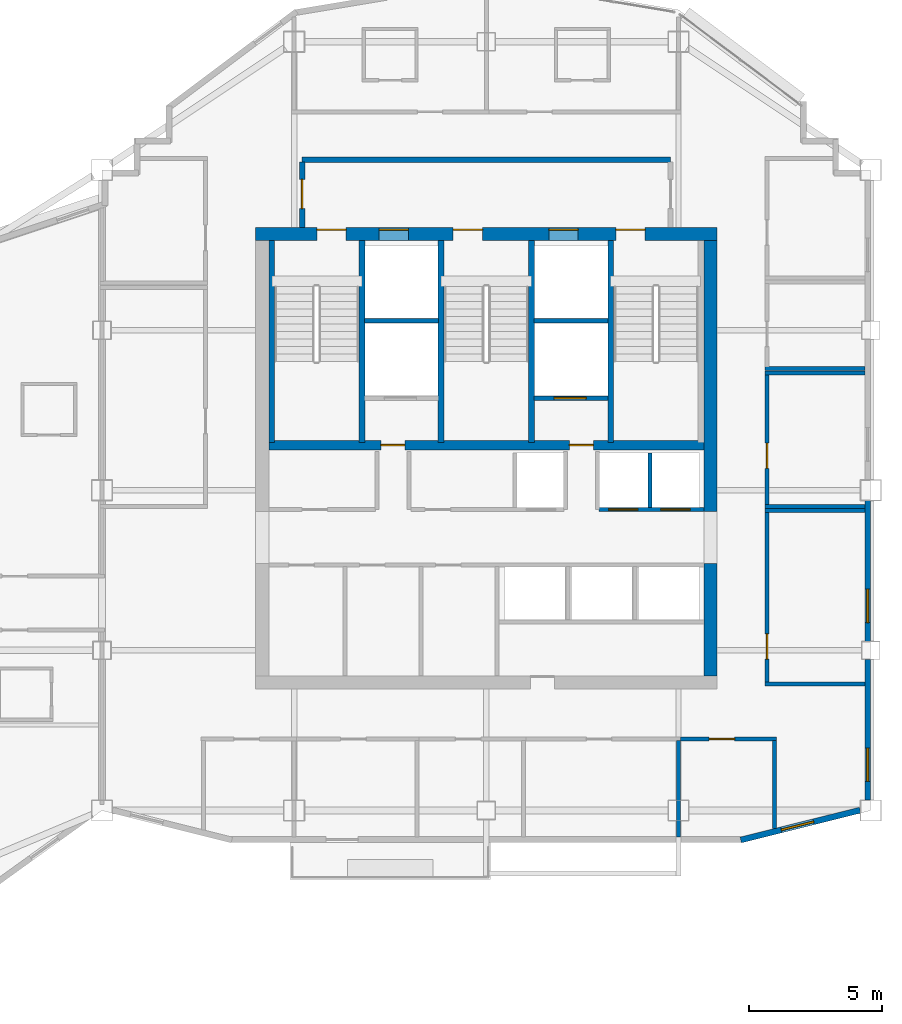
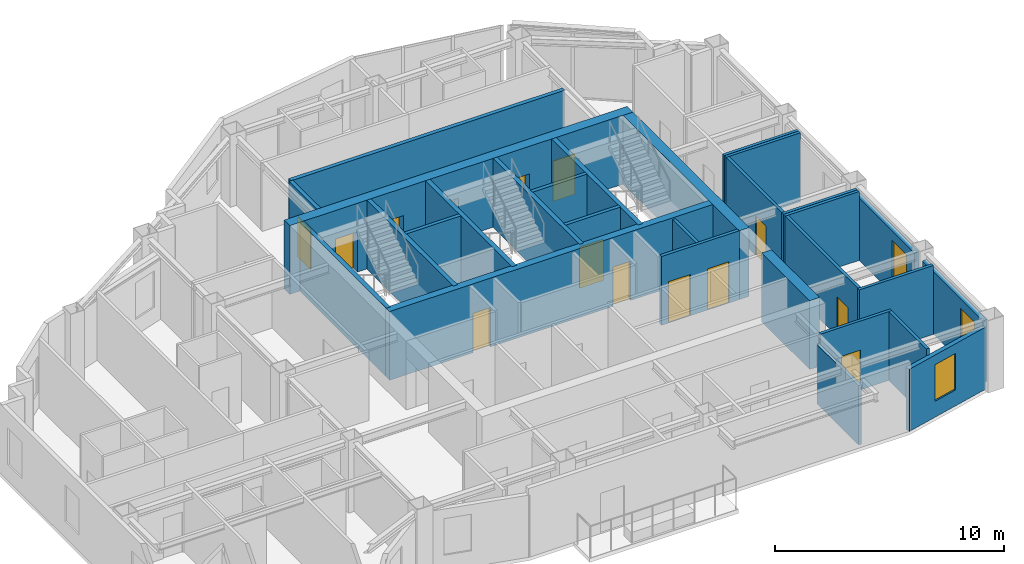
# One storey, part 7 of 11: 29 walls, 14 doors, 3 windows, 17 openings.
"""IFC4 building model written with IfcOpenShell, lengths in metres."""

from ifc_helpers import new_model, si_unit, direction, frame, frame_2d, origin, place, context, subcontext, project, spatial, rectangle, extrude, material, layer, layer_set, type_object, element, fill, save


model = new_model("IFC4")

# Units and contexts
model_context = context("Model", 3, precision=1e-05, world=origin(), true_north=direction((0.0, 1.0)))
body_context = subcontext(model_context, "Body", "Model", "MODEL_VIEW")
ifc_project = project(units=[si_unit("LENGTHUNIT", "METRE"), si_unit("AREAUNIT", "SQUARE_METRE"), si_unit("VOLUMEUNIT", "CUBIC_METRE"), si_unit("PLANEANGLEUNIT", "RADIAN"), si_unit("MASSUNIT", "GRAM", prefix="KILO")], contexts=[model_context])

# Site, building, storey
site_placement = place(None, origin())
site = spatial("IfcSite", under=ifc_project, at=site_placement, CompositionType="ELEMENT")
building_placement = place(site_placement, origin())
building = spatial("IfcBuilding", under=site, at=building_placement, Name="Haolan Belvedere Tower", CompositionType="ELEMENT")
storey_placement = place(building_placement, frame((0.0, 0.0, 254.449951171875)))
storey = spatial("IfcBuildingStorey", under=building, at=storey_placement, Name="L64", CompositionType="ELEMENT", Elevation=254.449951171875)

# Wall, openings, doors
ifc_material_1 = material(Name="Concrete C50/60", Category="concrete")
ifc_layer_1 = layer(ifc_material_1, 0.5, Name="Concrete C50/60")
ifc_layer_set_1 = layer_set([ifc_layer_1], Name="Concrete C50/60")
wall_type_1 = type_object("IfcWallType", Name="WL-CORE-500", PredefinedType="SHEAR", material=ifc_layer_set_1)
wall_1_placement = place(storey_placement, frame((29.75, 43.199951171875, 0.0), z_axis=(0.0, 0.0, 1.0), x_axis=(1.0, 0.0, 0.0)))
wall_1 = element("IfcWall", 1, at=wall_1_placement, inside=storey, type_object=wall_type_1, Name="L64 central core north shear wall", PredefinedType="SHEAR", context=body_context, shape_type="SweptSolid", body=[
    extrude(rectangle(XDim=17.300048828125, YDim=0.5, at=frame_2d((8.64990234375, 0.0))), origin(), (0.0, 0.0, 1.0), 3.670166015625),
])
opening_1_placement = place(wall_1_placement, frame((2.300048828125, 0.0, 0.0)))
opening_1 = element("IfcOpeningElement", 2, at=opening_1_placement, cuts=wall_1, Name="Opening FD-03", PredefinedType="OPENING", context=body_context, shape_type="SweptSolid", body=[
    extrude(rectangle(XDim=1.10009765625, YDim=2.14990234375, at=frame_2d((0.550048828125, 1.074951171875))), frame((0.0, 0.260009765625, 0.0), z_axis=(0.0, -1.0, 0.0), x_axis=(1.0, 0.0, 0.0)), (0.0, 0.0, 1.0), 0.52001953125),
])
opening_2_placement = place(wall_1_placement, frame((7.409912109375, 0.0, 0.0)))
opening_2 = element("IfcOpeningElement", 3, at=opening_2_placement, cuts=wall_1, Name="Opening FD-03", PredefinedType="OPENING", context=body_context, shape_type="SweptSolid", body=[
    extrude(rectangle(XDim=1.10009765625, YDim=2.14990234375, at=frame_2d((0.550048828125, 1.074951171875))), frame((0.0, 0.260009765625, 0.0), z_axis=(0.0, -1.0, 0.0), x_axis=(1.0, 0.0, 0.0)), (0.0, 0.0, 1.0), 0.52001953125),
])
opening_3_placement = place(wall_1_placement, frame((13.5, 0.0, 0.0)))
opening_3 = element("IfcOpeningElement", 4, at=opening_3_placement, cuts=wall_1, Name="Opening FD-03", PredefinedType="OPENING", context=body_context, shape_type="SweptSolid", body=[
    extrude(rectangle(XDim=1.10009765625, YDim=2.14990234375, at=frame_2d((0.550048828125, 1.074951171875))), frame((0.0, 0.260009765625, 0.0), z_axis=(0.0, -1.0, 0.0), x_axis=(1.0, 0.0, 0.0)), (0.0, 0.0, 1.0), 0.52001953125),
])
opening_4_placement = place(wall_1_placement, frame((4.6298828125, 0.0, 0.0)))
opening_4 = element("IfcOpeningElement", 5, at=opening_4_placement, cuts=wall_1, Name="Opening LD-01", PredefinedType="OPENING", context=body_context, shape_type="SweptSolid", body=[
    extrude(rectangle(XDim=1.10009765625, YDim=2.199951171875, at=frame_2d((0.550048828125, 1.10009765625))), frame((0.0, 0.260009765625, 0.0), z_axis=(0.0, -1.0, 0.0), x_axis=(1.0, 0.0, 0.0)), (0.0, 0.0, 1.0), 0.52001953125),
])
opening_5_placement = place(wall_1_placement, frame((10.989990234375, 0.0, 0.0)))
opening_5 = element("IfcOpeningElement", 6, at=opening_5_placement, cuts=wall_1, Name="Opening LD-01", PredefinedType="OPENING", context=body_context, shape_type="SweptSolid", body=[
    extrude(rectangle(XDim=1.10009765625, YDim=2.199951171875, at=frame_2d((0.550048828125, 1.10009765625))), frame((0.0, 0.260009765625, 0.0), z_axis=(0.0, -1.0, 0.0), x_axis=(1.0, 0.0, 0.0)), (0.0, 0.0, 1.0), 0.52001953125),
])
ifc_material_2 = material(Name="Galvanised fire-rated steel", Category="steel")
door_type_1 = type_object("IfcDoorType", Name="DR-FD90-1100", OperationType="NOTDEFINED", PredefinedType="DOOR", material=ifc_material_2)
door_1_placement = place(opening_1_placement, origin())
door_1 = element("IfcDoor", 7, at=door_1_placement, inside=storey, type_object=door_type_1, Name="L64 door CD-L64-ST1", OperationType="SINGLE_SWING_LEFT", OverallHeight=2.14990234375, OverallWidth=1.10009765625, PredefinedType="DOOR", context=body_context, shape_type="SweptSolid", body=[
    extrude(rectangle(XDim=1.10009765625, YDim=2.14990234375, at=frame_2d((0.550048828125, 1.074951171875))), frame((0.0, 0.18505859375, 0.0), z_axis=(0.0, -1.0, 0.0), x_axis=(1.0, 0.0, 0.0)), (0.0, 0.0, 1.0), 0.050048828125),
])
fill(opening_1, door_1)
door_2_placement = place(opening_2_placement, origin())
door_2 = element("IfcDoor", 8, at=door_2_placement, inside=storey, type_object=door_type_1, Name="L64 door CD-L64-ST3", OperationType="SINGLE_SWING_LEFT", OverallHeight=2.14990234375, OverallWidth=1.10009765625, PredefinedType="DOOR", context=body_context, shape_type="SweptSolid", body=[
    extrude(rectangle(XDim=1.10009765625, YDim=2.14990234375, at=frame_2d((0.550048828125, 1.074951171875))), frame((0.0, 0.18505859375, 0.0), z_axis=(0.0, -1.0, 0.0), x_axis=(1.0, 0.0, 0.0)), (0.0, 0.0, 1.0), 0.050048828125),
])
fill(opening_2, door_2)
door_3_placement = place(opening_3_placement, origin())
door_3 = element("IfcDoor", 9, at=door_3_placement, inside=storey, type_object=door_type_1, Name="L64 door CD-L64-ST2", OperationType="SINGLE_SWING_RIGHT", OverallHeight=2.14990234375, OverallWidth=1.10009765625, PredefinedType="DOOR", context=body_context, shape_type="SweptSolid", body=[
    extrude(rectangle(XDim=1.10009765625, YDim=2.14990234375, at=frame_2d((0.550048828125, 1.074951171875))), frame((0.0, 0.18505859375, 0.0), z_axis=(0.0, -1.0, 0.0), x_axis=(1.0, 0.0, 0.0)), (0.0, 0.0, 1.0), 0.050048828125),
])
fill(opening_3, door_3)
ifc_material_3 = material(Name="Brushed champagne stainless steel 316L", Category="steel")
door_type_2 = type_object("IfcDoorType", Name="DR-LIFT-1100", OperationType="SLIDING_TO_LEFT", PredefinedType="DOOR", material=ifc_material_3)
door_4_placement = place(opening_4_placement, origin())
door_4 = element("IfcDoor", 10, at=door_4_placement, inside=storey, type_object=door_type_2, Name="L64 door LD-L64-FF1", OperationType="SLIDING_TO_LEFT", OverallHeight=2.199951171875, OverallWidth=1.10009765625, PredefinedType="DOOR", context=body_context, shape_type="SweptSolid", body=[
    extrude(rectangle(XDim=1.10009765625, YDim=2.199951171875, at=frame_2d((0.550048828125, 1.10009765625))), frame((0.0, 0.18505859375, 0.0), z_axis=(0.0, -1.0, 0.0), x_axis=(1.0, 0.0, 0.0)), (0.0, 0.0, 1.0), 0.050048828125),
])
fill(opening_4, door_4)
door_5_placement = place(opening_5_placement, origin())
door_5 = element("IfcDoor", 11, at=door_5_placement, inside=storey, type_object=door_type_2, Name="L64 door LD-L64-FF2", OperationType="SLIDING_TO_LEFT", OverallHeight=2.199951171875, OverallWidth=1.10009765625, PredefinedType="DOOR", context=body_context, shape_type="SweptSolid", body=[
    extrude(rectangle(XDim=1.10009765625, YDim=2.199951171875, at=frame_2d((0.550048828125, 1.10009765625))), frame((0.0, 0.18505859375, 0.0), z_axis=(0.0, -1.0, 0.0), x_axis=(1.0, 0.0, 0.0)), (0.0, 0.0, 1.0), 0.050048828125),
])
fill(opening_5, door_5)

# Walls
wall_2_placement = place(storey_placement, frame((46.800048828125, 26.64990234375, 0.0), z_axis=(0.0, 0.0, 1.0), x_axis=(0.0, 1.0, 0.0)))
element("IfcWall", 12, at=wall_2_placement, inside=storey, type_object=wall_type_1, Name="L64 central core shear wall ES", PredefinedType="SHEAR", context=body_context, shape_type="SweptSolid", body=[
    extrude(rectangle(XDim=4.2001953125, YDim=0.5, at=frame_2d((2.10009765625, 0.0))), origin(), (0.0, 0.0, 1.0), 3.670166015625),
])
wall_3_placement = place(storey_placement, frame((46.800048828125, 32.800048828125, 0.0), z_axis=(0.0, 0.0, 1.0), x_axis=(0.0, 1.0, 0.0)))
element("IfcWall", 13, at=wall_3_placement, inside=storey, type_object=wall_type_1, Name="L64 central core shear wall EN", PredefinedType="SHEAR", context=body_context, shape_type="SweptSolid", body=[
    extrude(rectangle(XDim=10.14990234375, YDim=0.5, at=frame_2d((5.074951171875, 0.0))), origin(), (0.0, 0.0, 1.0), 3.670166015625),
])

# Wall, opening, window
ifc_material_4 = material(Name="Precast concrete C40/50", Category="concrete")
ifc_layer_2 = layer(ifc_material_4, 0.219970703125, Name="Precast concrete C40/50")
ifc_layer_set_2 = layer_set([ifc_layer_2], Name="Precast concrete C40/50")
wall_type_2 = type_object("IfcWallType", Name="WL-EXT-220", PredefinedType="SOLIDWALL", material=ifc_layer_set_2)
wall_4_placement = place(storey_placement, frame((47.93310546875, 20.49658203125, 0.0), z_axis=(0.0, 0.0, 1.0), x_axis=(0.970133159038, 0.242572986408, 0.0)))
wall_4 = element("IfcWall", 14, at=wall_4_placement, inside=storey, type_object=wall_type_2, Name="L64 pale-metal exterior spandrel wall 2.1", PredefinedType="SOLIDWALL", context=body_context, shape_type="SweptSolid", body=[
    extrude(rectangle(XDim=4.612548828125, YDim=0.219970703125, at=frame_2d((2.30615234375, 0.0))), origin(), (0.0, 0.0, 1.0), 3.31494140625),
])
opening_6_placement = place(wall_4_placement, frame((1.56640625, 0.0, 0.85009765625)))
opening_6 = element("IfcOpeningElement", 15, at=opening_6_placement, cuts=wall_4, Name="Opening W-04", PredefinedType="OPENING", context=body_context, shape_type="SweptSolid", body=[
    extrude(rectangle(XDim=1.25, YDim=1.949951171875, at=frame_2d((0.625, 0.97509765625))), frame((0.0, 0.119873046875, 0.0), z_axis=(0.0, -1.0, 0.0), x_axis=(1.0, 0.0, 0.0)), (0.0, 0.0, 1.0), 0.239990234375),
])
ifc_material_5 = material(Name="Anodised aluminium 6063-T6 and Low-E glass", Category="aluminium")
window_type = type_object("IfcWindowType", Name="WN-DECO-Z4", PartitioningType="SINGLE_PANEL", PredefinedType="WINDOW", material=ifc_material_5)
window_1_placement = place(opening_6_placement, origin())
window_1 = element("IfcWindow", 16, at=window_1_placement, inside=storey, type_object=window_type, Name="L64 Art Deco chevron window 1", OverallHeight=1.949951171875, OverallWidth=1.25, PartitioningType="SINGLE_PANEL", PredefinedType="WINDOW", context=body_context, shape_type="SweptSolid", body=[
    extrude(rectangle(XDim=1.25, YDim=1.949951171875, at=frame_2d((0.625, 0.97509765625))), frame((0.0, 0.030029296875, 0.0), z_axis=(0.0, -1.0, 0.0), x_axis=(1.0, 0.0, 0.0)), (0.0, 0.0, 1.0), 0.06005859375),
])
fill(opening_6, window_1)

wall_5_placement = place(storey_placement, frame((52.68994140625, 21.991943359375, 0.0), z_axis=(0.0, 0.0, 1.0), x_axis=(0.0, 1.0, 0.0)))
wall_5 = element("IfcWall", 17, at=wall_5_placement, inside=storey, type_object=wall_type_2, Name="L64 pale-metal exterior spandrel wall 3.1", PredefinedType="SOLIDWALL", context=body_context, shape_type="SweptSolid", body=[
    extrude(rectangle(XDim=5.26611328125, YDim=0.219970703125, at=frame_2d((2.633056640625, 0.0))), origin(), (0.0, 0.0, 1.0), 3.31494140625),
])
opening_7_placement = place(wall_5_placement, frame((0.699951171875, 0.0, 0.85009765625)))
opening_7 = element("IfcOpeningElement", 18, at=opening_7_placement, cuts=wall_5, Name="Opening W-04", PredefinedType="OPENING", context=body_context, shape_type="SweptSolid", body=[
    extrude(rectangle(XDim=1.25, YDim=1.949951171875, at=frame_2d((0.625, 0.97509765625))), frame((0.0, 0.119873046875, 0.0), z_axis=(0.0, -1.0, 0.0), x_axis=(1.0, 0.0, 0.0)), (0.0, 0.0, 1.0), 0.239990234375),
])
window_2_placement = place(opening_7_placement, origin())
window_2 = element("IfcWindow", 19, at=window_2_placement, inside=storey, type_object=window_type, Name="L64 Art Deco chevron window 1", OverallHeight=1.949951171875, OverallWidth=1.25, PartitioningType="SINGLE_PANEL", PredefinedType="WINDOW", context=body_context, shape_type="SweptSolid", body=[
    extrude(rectangle(XDim=1.25, YDim=1.949951171875, at=frame_2d((0.625, 0.97509765625))), frame((0.0, 0.030029296875, 0.0), z_axis=(0.0, -1.0, 0.0), x_axis=(1.0, 0.0, 0.0)), (0.0, 0.0, 1.0), 0.06005859375),
])
fill(opening_7, window_2)

wall_6_placement = place(storey_placement, frame((52.68994140625, 27.94189453125, 0.0), z_axis=(0.0, 0.0, 1.0), x_axis=(0.0, 1.0, 0.0)))
wall_6 = element("IfcWall", 20, at=wall_6_placement, inside=storey, type_object=wall_type_2, Name="L64 pale-metal exterior spandrel wall 3.2", PredefinedType="SOLIDWALL", context=body_context, shape_type="SweptSolid", body=[
    extrude(rectangle(XDim=5.26611328125, YDim=0.219970703125, at=frame_2d((2.633056640625, 0.0))), origin(), (0.0, 0.0, 1.0), 3.31494140625),
])
opening_8_placement = place(wall_6_placement, frame((0.699951171875, 0.0, 0.85009765625)))
opening_8 = element("IfcOpeningElement", 21, at=opening_8_placement, cuts=wall_6, Name="Opening W-04", PredefinedType="OPENING", context=body_context, shape_type="SweptSolid", body=[
    extrude(rectangle(XDim=1.25, YDim=1.949951171875, at=frame_2d((0.625, 0.97509765625))), frame((0.0, 0.119873046875, 0.0), z_axis=(0.0, -1.0, 0.0), x_axis=(1.0, 0.0, 0.0)), (0.0, 0.0, 1.0), 0.239990234375),
])
window_3_placement = place(opening_8_placement, origin())
window_3 = element("IfcWindow", 22, at=window_3_placement, inside=storey, type_object=window_type, Name="L64 Art Deco chevron window 1", OverallHeight=1.949951171875, OverallWidth=1.25, PartitioningType="SINGLE_PANEL", PredefinedType="WINDOW", context=body_context, shape_type="SweptSolid", body=[
    extrude(rectangle(XDim=1.25, YDim=1.949951171875, at=frame_2d((0.625, 0.97509765625))), frame((0.0, 0.030029296875, 0.0), z_axis=(0.0, -1.0, 0.0), x_axis=(1.0, 0.0, 0.0)), (0.0, 0.0, 1.0), 0.06005859375),
])
fill(opening_8, window_3)

# Wall
ifc_material_6 = material(Name="Concrete C40/50", Category="concrete")
ifc_layer_3 = layer(ifc_material_6, 0.199951171875, Name="Concrete C40/50")
ifc_layer_set_3 = layer_set([ifc_layer_3], Name="Concrete C40/50")
wall_type_3 = type_object("IfcWallType", Name="WL-FIRE-200", PredefinedType="SOLIDWALL", material=ifc_layer_set_3)
wall_7_placement = place(storey_placement, frame((31.5, 45.97998046875, 0.0), z_axis=(0.0, 0.0, 1.0), x_axis=(1.0, 0.0, 0.0)))
element("IfcWall", 23, at=wall_7_placement, inside=storey, type_object=wall_type_3, Name="L64 interior partition IW-L64-FFL-N", PredefinedType="SOLIDWALL", context=body_context, shape_type="SweptSolid", body=[
    extrude(rectangle(XDim=13.800048828125, YDim=0.199951171875, at=frame_2d((6.89990234375, 0.0))), origin(), (0.0, 0.0, 1.0), 3.670166015625),
])

# Wall, opening, door
wall_8_placement = place(storey_placement, frame((31.5, 43.449951171875, 0.0), z_axis=(0.0, 0.0, 1.0), x_axis=(0.0, 1.0, 0.0)))
wall_8 = element("IfcWall", 24, at=wall_8_placement, inside=storey, type_object=wall_type_3, Name="L64 interior partition IW-L64-FFL-W", PredefinedType="SOLIDWALL", context=body_context, shape_type="SweptSolid", body=[
    extrude(rectangle(XDim=2.445068359375, YDim=0.199951171875, at=frame_2d((1.22265625, 0.0))), origin(), (0.0, 0.0, 1.0), 3.670166015625),
])
opening_9_placement = place(wall_8_placement, frame((1.800048828125, 0.0, 0.0), z_axis=(0.0, 0.0, 1.0), x_axis=(-1.0, 0.0, 0.0)))
opening_9 = element("IfcOpeningElement", 25, at=opening_9_placement, cuts=wall_8, Name="Opening FD-03", PredefinedType="OPENING", context=body_context, shape_type="SweptSolid", body=[
    extrude(rectangle(XDim=1.10009765625, YDim=2.14990234375, at=frame_2d((0.550048828125, 1.074951171875))), frame((0.0, 0.10986328125, 0.0), z_axis=(0.0, -1.0, 0.0), x_axis=(1.0, 0.0, 0.0)), (0.0, 0.0, 1.0), 0.219970703125),
])
door_6_placement = place(opening_9_placement, origin())
door_6 = element("IfcDoor", 26, at=door_6_placement, inside=storey, type_object=door_type_1, Name="L64 door ID-L64-FFL-DW", OperationType="SINGLE_SWING_LEFT", OverallHeight=2.14990234375, OverallWidth=1.10009765625, PredefinedType="DOOR", context=body_context, shape_type="SweptSolid", body=[
    extrude(rectangle(XDim=1.10009765625, YDim=2.14990234375, at=frame_2d((0.550048828125, 1.074951171875))), frame((0.0, 0.02490234375, 0.0), z_axis=(0.0, -1.0, 0.0), x_axis=(1.0, 0.0, 0.0)), (0.0, 0.0, 1.0), 0.050048828125),
])
fill(opening_9, door_6)

# Walls
ifc_material_7 = material(Name="Double gypsum acoustic stud partition", Category="masonry")
ifc_layer_4 = layer(ifc_material_7, 0.14990234375, Name="Double gypsum acoustic stud partition")
ifc_layer_set_4 = layer_set([ifc_layer_4], Name="Double gypsum acoustic stud partition")
wall_type_4 = type_object("IfcWallType", Name="WL-PART-150", PredefinedType="PARTITIONING", material=ifc_layer_set_4)
for number, where, z_axis, x_axis, name in (
    (27, (48.840087890625, 38.0, 0.0), (0.0, 0.0, 1.0), (1.0, 0.0, 0.0), "L64 interior partition IW-L64-BPN-N"),
    (28, (48.840087890625, 33.0, 0.0), (0.0, 0.0, 1.0), (1.0, 0.0, 0.0), "L64 interior partition IW-L64-BPN-S"),
):
    element("IfcWall", number, at=place(storey_placement, frame(where, z_axis=z_axis, x_axis=x_axis)), inside=storey, type_object=wall_type_4, Name=name, PredefinedType="PARTITIONING", context=body_context, shape_type="SweptSolid", body=[
        extrude(rectangle(XDim=3.747802734375, YDim=0.14990234375, at=frame_2d((1.8740234375, 0.0))), origin(), (0.0, 0.0, 1.0), 3.670166015625),
    ])

# Wall, opening, door
wall_9_placement = place(storey_placement, frame((48.919921875, 33.06005859375, 0.0), z_axis=(0.0, 0.0, 1.0), x_axis=(0.0, 1.0, 0.0)))
wall_9 = element("IfcWall", 29, at=wall_9_placement, inside=storey, type_object=wall_type_4, Name="L64 interior partition IW-L64-BPN-W", PredefinedType="PARTITIONING", context=body_context, shape_type="SweptSolid", body=[
    extrude(rectangle(XDim=4.8798828125, YDim=0.14990234375, at=frame_2d((2.43994140625, 0.0))), origin(), (0.0, 0.0, 1.0), 3.670166015625),
])
opening_10_placement = place(wall_9_placement, frame((1.360107421875, 0.0, 0.0)))
opening_10 = element("IfcOpeningElement", 30, at=opening_10_placement, cuts=wall_9, Name="Opening ID-03", PredefinedType="OPENING", context=body_context, shape_type="SweptSolid", body=[
    extrude(rectangle(XDim=0.949951171875, YDim=2.1201171875, at=frame_2d((0.47509765625, 1.06005859375))), frame((0.0, 0.0849609375, 0.0), z_axis=(0.0, -1.0, 0.0), x_axis=(1.0, 0.0, 0.0)), (0.0, 0.0, 1.0), 0.169921875),
])
ifc_material_8 = material(Name="Painted solid-core timber", Category="wood")
door_type_3 = type_object("IfcDoorType", Name="DR-INT-950", OperationType="NOTDEFINED", PredefinedType="DOOR", material=ifc_material_8)
door_7_placement = place(opening_10_placement, origin())
door_7 = element("IfcDoor", 31, at=door_7_placement, inside=storey, type_object=door_type_3, Name="L64 door ID-L64-BPN", OperationType="SINGLE_SWING_RIGHT", OverallHeight=2.1201171875, OverallWidth=0.949951171875, PredefinedType="DOOR", context=body_context, shape_type="SweptSolid", body=[
    extrude(rectangle(XDim=0.949951171875, YDim=2.1201171875, at=frame_2d((0.47509765625, 1.06005859375))), frame((0.0, 0.02490234375, 0.0), z_axis=(0.0, -1.0, 0.0), x_axis=(1.0, 0.0, 0.0)), (0.0, 0.0, 1.0), 0.050048828125),
])
fill(opening_10, door_7)

# Walls
for number, where, z_axis, x_axis, name in (
    (32, (48.840087890625, 38.159912109375, 0.0), (0.0, 0.0, 1.0), (1.0, 0.0, 0.0), "L64 interior partition IW-L64-AWC-S"),
    (33, (48.840087890625, 32.840087890625, 0.0), (0.0, 0.0, 1.0), (1.0, 0.0, 0.0), "L64 interior partition IW-L64-PKTE-N"),
    (34, (48.840087890625, 26.35009765625, 0.0), (0.0, 0.0, 1.0), (1.0, 0.0, 0.0), "L64 interior partition IW-L64-PKTE-S"),
):
    element("IfcWall", number, at=place(storey_placement, frame(where, z_axis=z_axis, x_axis=x_axis)), inside=storey, type_object=wall_type_4, Name=name, PredefinedType="PARTITIONING", context=body_context, shape_type="SweptSolid", body=[
        extrude(rectangle(XDim=3.747802734375, YDim=0.14990234375, at=frame_2d((1.8740234375, 0.0))), origin(), (0.0, 0.0, 1.0), 3.670166015625),
    ])

# Wall, opening, door
wall_10_placement = place(storey_placement, frame((48.919921875, 26.409912109375, 0.0), z_axis=(0.0, 0.0, 1.0), x_axis=(0.0, 1.0, 0.0)))
wall_10 = element("IfcWall", 35, at=wall_10_placement, inside=storey, type_object=wall_type_4, Name="L64 interior partition IW-L64-PKTE-W", PredefinedType="PARTITIONING", context=body_context, shape_type="SweptSolid", body=[
    extrude(rectangle(XDim=6.3701171875, YDim=0.14990234375, at=frame_2d((3.18505859375, 0.0))), origin(), (0.0, 0.0, 1.0), 3.670166015625),
])
opening_11_placement = place(wall_10_placement, frame((0.860107421875, 0.0, 0.0)))
opening_11 = element("IfcOpeningElement", 36, at=opening_11_placement, cuts=wall_10, Name="Opening ID-03", PredefinedType="OPENING", context=body_context, shape_type="SweptSolid", body=[
    extrude(rectangle(XDim=0.949951171875, YDim=2.1201171875, at=frame_2d((0.47509765625, 1.06005859375))), frame((0.0, 0.0849609375, 0.0), z_axis=(0.0, -1.0, 0.0), x_axis=(1.0, 0.0, 0.0)), (0.0, 0.0, 1.0), 0.169921875),
])
door_8_placement = place(opening_11_placement, origin())
door_8 = element("IfcDoor", 37, at=door_8_placement, inside=storey, type_object=door_type_3, Name="L64 door ID-L64-PKTE", OperationType="SINGLE_SWING_RIGHT", OverallHeight=2.1201171875, OverallWidth=0.949951171875, PredefinedType="DOOR", context=body_context, shape_type="SweptSolid", body=[
    extrude(rectangle(XDim=0.949951171875, YDim=2.1201171875, at=frame_2d((0.47509765625, 1.06005859375))), frame((0.0, 0.02490234375, 0.0), z_axis=(0.0, -1.0, 0.0), x_axis=(1.0, 0.0, 0.0)), (0.0, 0.0, 1.0), 0.050048828125),
])
fill(opening_11, door_8)

# Wall
wall_11_placement = place(storey_placement, frame((45.60009765625, 20.612060546875, 0.0), z_axis=(0.0, 0.0, 1.0), x_axis=(0.0, 1.0, 0.0)))
element("IfcWall", 38, at=wall_11_placement, inside=storey, type_object=wall_type_4, Name="L64 interior partition IW-L64-KS5-E", PredefinedType="PARTITIONING", context=body_context, shape_type="SweptSolid", body=[
    extrude(rectangle(XDim=3.60791015625, YDim=0.14990234375, at=frame_2d((1.803955078125, 0.0))), origin(), (0.0, 0.0, 1.0), 3.155029296875),
])

# Wall, opening, door
wall_12_placement = place(storey_placement, frame((45.681884765625, 24.280029296875, 0.0), z_axis=(0.0, 0.0, 1.0), x_axis=(1.0, 0.0, 0.0)))
wall_12 = element("IfcWall", 39, at=wall_12_placement, inside=storey, type_object=wall_type_4, Name="L64 interior partition IW-L64-KS6-N", PredefinedType="PARTITIONING", context=body_context, shape_type="SweptSolid", body=[
    extrude(rectangle(XDim=3.59814453125, YDim=0.14990234375, at=frame_2d((1.799072265625, 0.0))), origin(), (0.0, 0.0, 1.0), 3.670166015625),
])
opening_12_placement = place(wall_12_placement, frame((2.01806640625, 0.0, 0.0), z_axis=(0.0, 0.0, 1.0), x_axis=(-1.0, 0.0, 0.0)))
opening_12 = element("IfcOpeningElement", 40, at=opening_12_placement, cuts=wall_12, Name="Opening ID-03", PredefinedType="OPENING", context=body_context, shape_type="SweptSolid", body=[
    extrude(rectangle(XDim=0.949951171875, YDim=2.1201171875, at=frame_2d((0.47509765625, 1.06005859375))), frame((0.0, 0.0849609375, 0.0), z_axis=(0.0, -1.0, 0.0), x_axis=(1.0, 0.0, 0.0)), (0.0, 0.0, 1.0), 0.169921875),
])
door_9_placement = place(opening_12_placement, origin())
door_9 = element("IfcDoor", 41, at=door_9_placement, inside=storey, type_object=door_type_3, Name="L64 door ID-L64-KS6", OperationType="SINGLE_SWING_LEFT", OverallHeight=2.1201171875, OverallWidth=0.949951171875, PredefinedType="DOOR", context=body_context, shape_type="SweptSolid", body=[
    extrude(rectangle(XDim=0.949951171875, YDim=2.1201171875, at=frame_2d((0.47509765625, 1.06005859375))), frame((0.0, 0.02490234375, 0.0), z_axis=(0.0, -1.0, 0.0), x_axis=(1.0, 0.0, 0.0)), (0.0, 0.0, 1.0), 0.050048828125),
])
fill(opening_12, door_9)

# Wall
wall_13_placement = place(storey_placement, frame((49.199951171875, 20.91845703125, 0.0), z_axis=(0.0, 0.0, 1.0), x_axis=(0.0, 1.0, 0.0)))
element("IfcWall", 42, at=wall_13_placement, inside=storey, type_object=wall_type_4, Name="L64 interior partition IW-L64-KS6-E", PredefinedType="PARTITIONING", context=body_context, shape_type="SweptSolid", body=[
    extrude(rectangle(XDim=3.301513671875, YDim=0.14990234375, at=frame_2d((1.65087890625, 0.0))), origin(), (0.0, 0.0, 1.0), 3.670166015625),
])

# Wall, openings, doors
ifc_material_9 = material(Name="Gypsum fire shaftwall assembly", Category="masonry")
ifc_layer_5 = layer(ifc_material_9, 0.1650390625, Name="Gypsum fire shaftwall assembly")
ifc_layer_set_5 = layer_set([ifc_layer_5], Name="Gypsum fire shaftwall assembly")
wall_type_5 = type_object("IfcWallType", Name="WL-SHAFT-160", PredefinedType="SOLIDWALL", material=ifc_layer_set_5)
wall_14_placement = place(storey_placement, frame((42.6298828125, 32.8798828125, 0.0), z_axis=(0.0, 0.0, 1.0), x_axis=(1.0, 0.0, 0.0)))
wall_14 = element("IfcWall", 43, at=wall_14_placement, inside=storey, type_object=wall_type_5, Name="L64 interior partition IW-L64-ROW-PN3", PredefinedType="SOLIDWALL", context=body_context, shape_type="SweptSolid", body=[
    extrude(rectangle(XDim=3.920166015625, YDim=0.159912109375, at=frame_2d((1.9599609375, 0.0))), origin(), (0.0, 0.0, 1.0), 3.670166015625),
])
opening_13_placement = place(wall_14_placement, frame((1.4501953125, 0.0, 0.0), z_axis=(0.0, 0.0, 1.0), x_axis=(-1.0, 0.0, 0.0)))
opening_13 = element("IfcOpeningElement", 44, at=opening_13_placement, cuts=wall_14, Name="Opening LD-01", PredefinedType="OPENING", context=body_context, shape_type="SweptSolid", body=[
    extrude(rectangle(XDim=1.10009765625, YDim=2.199951171875, at=frame_2d((0.550048828125, 1.10009765625))), frame((0.0, 0.08984375, 0.0), z_axis=(0.0, -1.0, 0.0), x_axis=(1.0, 0.0, 0.0)), (0.0, 0.0, 1.0), 0.179931640625),
])
opening_14_placement = place(wall_14_placement, frame((3.41015625, 0.0, 0.0), z_axis=(0.0, 0.0, 1.0), x_axis=(-1.0, 0.0, 0.0)))
opening_14 = element("IfcOpeningElement", 45, at=opening_14_placement, cuts=wall_14, Name="Opening LD-01", PredefinedType="OPENING", context=body_context, shape_type="SweptSolid", body=[
    extrude(rectangle(XDim=1.10009765625, YDim=2.199951171875, at=frame_2d((0.550048828125, 1.10009765625))), frame((0.0, 0.08984375, 0.0), z_axis=(0.0, -1.0, 0.0), x_axis=(1.0, 0.0, 0.0)), (0.0, 0.0, 1.0), 0.179931640625),
])
door_10_placement = place(opening_13_placement, origin())
door_10 = element("IfcDoor", 46, at=door_10_placement, inside=storey, type_object=door_type_2, Name="L64 door ID-L64-LD-PH2", OperationType="SLIDING_TO_RIGHT", OverallHeight=2.199951171875, OverallWidth=1.10009765625, PredefinedType="DOOR", context=body_context, shape_type="SweptSolid", body=[
    extrude(rectangle(XDim=1.10009765625, YDim=2.199951171875, at=frame_2d((0.550048828125, 1.10009765625))), frame((0.0, 0.02490234375, 0.0), z_axis=(0.0, -1.0, 0.0), x_axis=(1.0, 0.0, 0.0)), (0.0, 0.0, 1.0), 0.050048828125),
])
fill(opening_13, door_10)
door_11_placement = place(opening_14_placement, origin())
door_11 = element("IfcDoor", 47, at=door_11_placement, inside=storey, type_object=door_type_2, Name="L64 door ID-L64-LD-PH3", OperationType="SLIDING_TO_RIGHT", OverallHeight=2.199951171875, OverallWidth=1.10009765625, PredefinedType="DOOR", context=body_context, shape_type="SweptSolid", body=[
    extrude(rectangle(XDim=1.10009765625, YDim=2.199951171875, at=frame_2d((0.550048828125, 1.10009765625))), frame((0.0, 0.02490234375, 0.0), z_axis=(0.0, -1.0, 0.0), x_axis=(1.0, 0.0, 0.0)), (0.0, 0.0, 1.0), 0.050048828125),
])
fill(opening_14, door_11)

# Walls
wall_15_placement = place(storey_placement, frame((44.530029296875, 32.949951171875, 0.0), z_axis=(0.0, 0.0, 1.0), x_axis=(0.0, 1.0, 0.0)))
element("IfcWall", 48, at=wall_15_placement, inside=storey, type_object=wall_type_5, Name="L64 interior partition IW-L64-DIV-PH2", PredefinedType="SOLIDWALL", context=body_context, shape_type="SweptSolid", body=[
    extrude(rectangle(XDim=2.050048828125, YDim=0.14990234375, at=frame_2d((1.02490234375, 0.0))), origin(), (0.0, 0.0, 1.0), 3.670166015625),
])
ifc_layer_6 = layer(ifc_material_4, 0.179931640625, Name="Precast concrete C40/50")
ifc_layer_set_6 = layer_set([ifc_layer_6], Name="Precast concrete C40/50")
wall_type_6 = type_object("IfcWallType", Name="WL-SHAFT-180", PredefinedType="SOLIDWALL", material=ifc_layer_set_6)
for number, where, z_axis, x_axis, name in (
    (49, (33.8349609375, 39.949951171875, 0.0), (0.0, 0.0, 1.0), (1.0, 0.0, 0.0), "L64 interior partition IW-L64-FF1-S"),
    (50, (40.195068359375, 39.949951171875, 0.0), (0.0, 0.0, 1.0), (1.0, 0.0, 0.0), "L64 interior partition IW-L64-FF2-S"),
):
    element("IfcWall", number, at=place(storey_placement, frame(where, z_axis=z_axis, x_axis=x_axis)), inside=storey, type_object=wall_type_6, Name=name, PredefinedType="SOLIDWALL", context=body_context, shape_type="SweptSolid", body=[
        extrude(rectangle(XDim=2.77001953125, YDim=0.179931640625, at=frame_2d((1.385009765625, 0.0))), origin(), (0.0, 0.0, 1.0), 3.670166015625),
    ])

# Wall, opening, door
wall_16_placement = place(storey_placement, frame((40.195068359375, 37.050048828125, 0.0), z_axis=(0.0, 0.0, 1.0), x_axis=(1.0, 0.0, 0.0)))
wall_16 = element("IfcWall", 51, at=wall_16_placement, inside=storey, type_object=wall_type_6, Name="L64 interior partition IW-L64-SV2-S", PredefinedType="SOLIDWALL", context=body_context, shape_type="SweptSolid", body=[
    extrude(rectangle(XDim=2.77001953125, YDim=0.179931640625, at=frame_2d((1.385009765625, 0.0))), origin(), (0.0, 0.0, 1.0), 3.670166015625),
])
opening_15_placement = place(wall_16_placement, frame((1.945068359375, 0.0, 0.0), z_axis=(0.0, 0.0, 1.0), x_axis=(-1.0, 0.0, 0.0)))
opening_15 = element("IfcOpeningElement", 52, at=opening_15_placement, cuts=wall_16, Name="Opening LD-02", PredefinedType="OPENING", context=body_context, shape_type="SweptSolid", body=[
    extrude(rectangle(XDim=1.199951171875, YDim=2.199951171875, at=frame_2d((0.60009765625, 1.10009765625))), frame((0.0, 0.099853515625, 0.0), z_axis=(0.0, -1.0, 0.0), x_axis=(1.0, 0.0, 0.0)), (0.0, 0.0, 1.0), 0.199951171875),
])
door_type_4 = type_object("IfcDoorType", Name="DR-LIFT-1200", OperationType="SLIDING_TO_RIGHT", PredefinedType="DOOR", material=ifc_material_3)
door_12_placement = place(opening_15_placement, origin())
door_12 = element("IfcDoor", 53, at=door_12_placement, inside=storey, type_object=door_type_4, Name="L64 door ID-L64-LD-SV2", OperationType="SLIDING_TO_RIGHT", OverallHeight=2.199951171875, OverallWidth=1.199951171875, PredefinedType="DOOR", context=body_context, shape_type="SweptSolid", body=[
    extrude(rectangle(XDim=1.199951171875, YDim=2.199951171875, at=frame_2d((0.60009765625, 1.10009765625))), frame((0.0, 0.02490234375, 0.0), z_axis=(0.0, -1.0, 0.0), x_axis=(1.0, 0.0, 0.0)), (0.0, 0.0, 1.0), 0.050048828125),
])
fill(opening_15, door_12)

# Walls
ifc_layer_7 = layer(ifc_material_1, 0.219970703125, Name="Concrete C50/60")
ifc_layer_set_7 = layer_set([ifc_layer_7], Name="Concrete C50/60")
wall_type_7 = type_object("IfcWallType", Name="WL-STAIR-220", PredefinedType="SHEAR", material=ifc_layer_set_7)
for number, where, z_axis, x_axis, name in (
    (54, (30.362060546875, 35.389892578125, 0.0), (0.0, 0.0, 1.0), (0.0, 1.0, 0.0), "L64 structural stair core wall ST1W"),
    (55, (33.739990234375, 35.389892578125, 0.0), (0.0, 0.0, 1.0), (0.0, 1.0, 0.0), "L64 structural stair core wall ST1E"),
    (56, (36.699951171875, 35.389892578125, 0.0), (0.0, 0.0, 1.0), (0.0, 1.0, 0.0), "L64 structural stair core wall ST3W"),
    (57, (40.10009765625, 35.389892578125, 0.0), (0.0, 0.0, 1.0), (0.0, 1.0, 0.0), "L64 structural stair core wall ST3E"),
    (58, (43.06005859375, 35.389892578125, 0.0), (0.0, 0.0, 1.0), (0.0, 1.0, 0.0), "L64 structural stair core wall ST2W"),
):
    element("IfcWall", number, at=place(storey_placement, frame(where, z_axis=z_axis, x_axis=x_axis)), inside=storey, type_object=wall_type_7, Name=name, PredefinedType="SHEAR", context=body_context, shape_type="SweptSolid", body=[
        extrude(rectangle(XDim=7.56005859375, YDim=0.219970703125, at=frame_2d((3.780029296875, 0.0))), origin(), (0.0, 0.0, 1.0), 3.670166015625),
    ])

# Wall, openings, doors
ifc_material_10 = material(Name="Concrete C60/75", Category="concrete")
ifc_layer_8 = layer(ifc_material_10, 0.360107421875, Name="Concrete C60/75")
ifc_layer_set_8 = layer_set([ifc_layer_8], Name="Concrete C60/75")
wall_type_8 = type_object("IfcWallType", Name="WL-WEB-350", PredefinedType="SHEAR", material=ifc_layer_set_8)
wall_17_placement = place(storey_placement, frame((30.25, 35.2900390625, 0.0), z_axis=(0.0, 0.0, 1.0), x_axis=(1.0, 0.0, 0.0)))
wall_17 = element("IfcWall", 59, at=wall_17_placement, inside=storey, type_object=wall_type_8, Name="L64 central core internal shear web", PredefinedType="SHEAR", context=body_context, shape_type="SweptSolid", body=[
    extrude(rectangle(XDim=16.300048828125, YDim=0.360107421875, at=frame_2d((8.14990234375, 0.0))), origin(), (0.0, 0.0, 1.0), 3.670166015625),
])
opening_16_placement = place(wall_17_placement, frame((5.099853515625, 0.0, 0.0), z_axis=(0.0, 0.0, 1.0), x_axis=(-1.0, 0.0, 0.0)))
opening_16 = element("IfcOpeningElement", 60, at=opening_16_placement, cuts=wall_17, Name="Opening FD-05", PredefinedType="OPENING", context=body_context, shape_type="SweptSolid", body=[
    extrude(rectangle(XDim=0.89990234375, YDim=2.10009765625, at=frame_2d((0.449951171875, 1.050048828125))), frame((0.0, 0.18994140625, 0.0), z_axis=(0.0, -1.0, 0.0), x_axis=(1.0, 0.0, 0.0)), (0.0, 0.0, 1.0), 0.380126953125),
])
opening_17_placement = place(wall_17_placement, frame((12.159912109375, 0.0, 0.0), z_axis=(0.0, 0.0, 1.0), x_axis=(-1.0, 0.0, 0.0)))
opening_17 = element("IfcOpeningElement", 61, at=opening_17_placement, cuts=wall_17, Name="Opening FD-05", PredefinedType="OPENING", context=body_context, shape_type="SweptSolid", body=[
    extrude(rectangle(XDim=0.89990234375, YDim=2.10009765625, at=frame_2d((0.449951171875, 1.050048828125))), frame((0.0, 0.18994140625, 0.0), z_axis=(0.0, -1.0, 0.0), x_axis=(1.0, 0.0, 0.0)), (0.0, 0.0, 1.0), 0.380126953125),
])
door_type_5 = type_object("IfcDoorType", Name="DR-FD60-900", OperationType="NOTDEFINED", PredefinedType="DOOR", material=ifc_material_2)
door_13_placement = place(opening_16_placement, origin())
door_13 = element("IfcDoor", 62, at=door_13_placement, inside=storey, type_object=door_type_5, Name="L64 door CD-L64-SVL-SV1", OperationType="SINGLE_SWING_RIGHT", OverallHeight=2.10009765625, OverallWidth=0.89990234375, PredefinedType="DOOR", context=body_context, shape_type="SweptSolid", body=[
    extrude(rectangle(XDim=0.89990234375, YDim=2.10009765625, at=frame_2d((0.449951171875, 1.050048828125))), frame((0.0, 0.02490234375, 0.0), z_axis=(0.0, -1.0, 0.0), x_axis=(1.0, 0.0, 0.0)), (0.0, 0.0, 1.0), 0.050048828125),
])
fill(opening_16, door_13)
door_14_placement = place(opening_17_placement, origin())
door_14 = element("IfcDoor", 63, at=door_14_placement, inside=storey, type_object=door_type_5, Name="L64 door CD-L64-SVL-SV2", OperationType="SINGLE_SWING_RIGHT", OverallHeight=2.10009765625, OverallWidth=0.89990234375, PredefinedType="DOOR", context=body_context, shape_type="SweptSolid", body=[
    extrude(rectangle(XDim=0.89990234375, YDim=2.10009765625, at=frame_2d((0.449951171875, 1.050048828125))), frame((0.0, 0.02490234375, 0.0), z_axis=(0.0, -1.0, 0.0), x_axis=(1.0, 0.0, 0.0)), (0.0, 0.0, 1.0), 0.050048828125),
])
fill(opening_17, door_14)

save(model, "model.ifc")
